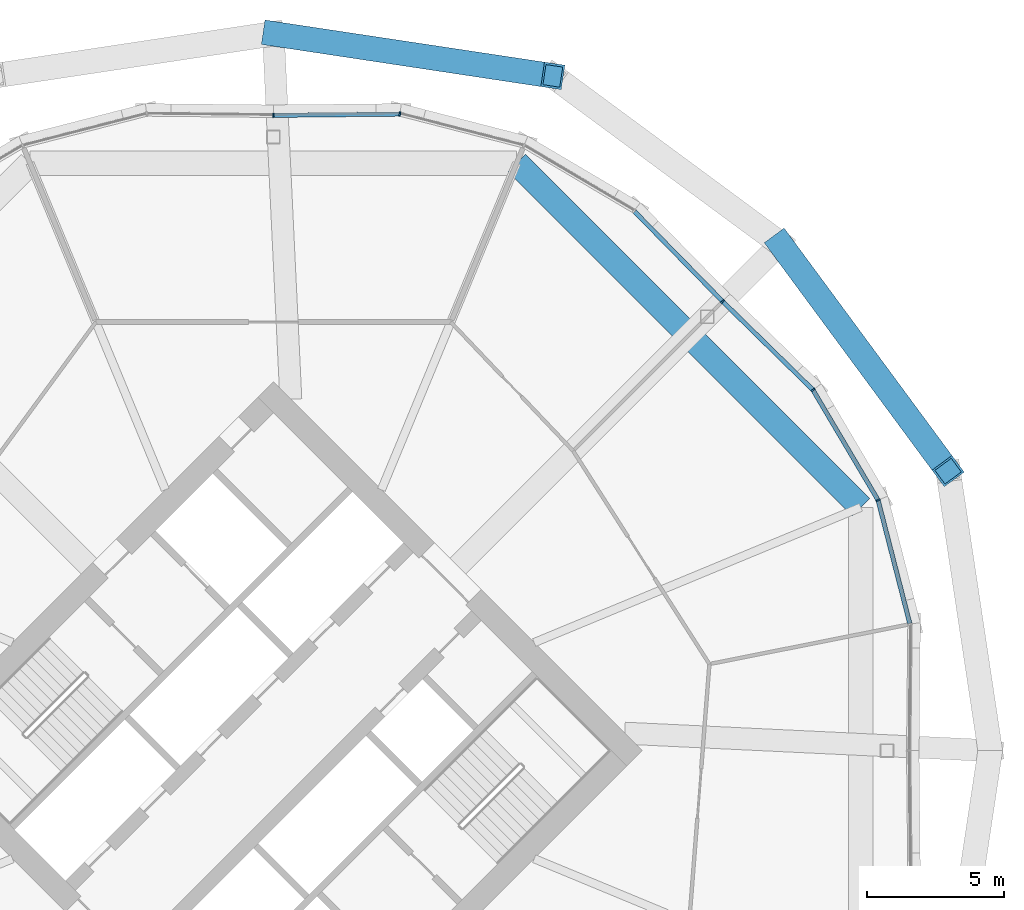
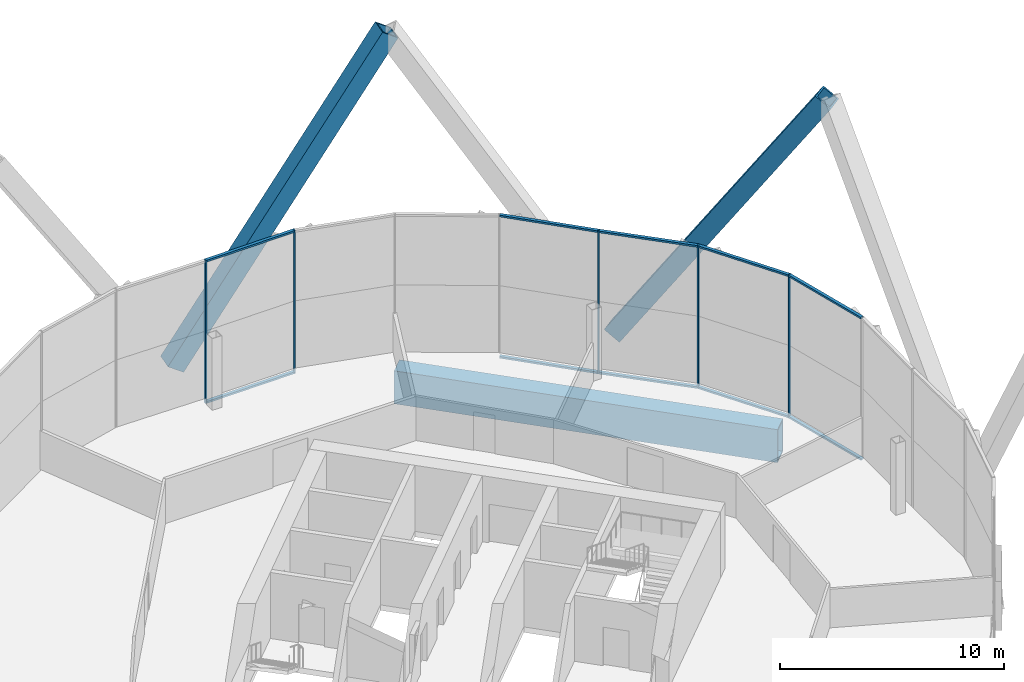
# One storey, part 18 of 28: 17 members, 1 beam, 2 elements without a shape of their own.
"""IFC4 building model written with IfcOpenShell, lengths in metres."""

from ifc_helpers import new_model, si_unit, direction, frame, origin, origin_2d, place, context, subcontext, project, spatial, rectangle, hollow_rectangle, extrude, material, material_profile, profile_set, type_object, element, aggregate, save


model = new_model("IFC4")

# Units and contexts
model_context = context("Model", 3, precision=1e-05, world=origin(), true_north=direction((0.0, 1.0)))
body_context = subcontext(model_context, "Body", "Model", "MODEL_VIEW")
ifc_project = project(units=[si_unit("LENGTHUNIT", "METRE"), si_unit("AREAUNIT", "SQUARE_METRE"), si_unit("VOLUMEUNIT", "CUBIC_METRE"), si_unit("PLANEANGLEUNIT", "RADIAN"), si_unit("MASSUNIT", "GRAM", prefix="KILO")], contexts=[model_context])

# Site, building, storey
site_placement = place(None, origin())
site = spatial("IfcSite", under=ifc_project, at=site_placement, CompositionType="ELEMENT")
building_placement = place(site_placement, origin())
building = spatial("IfcBuilding", under=site, at=building_placement, Name="Ogive Gate Towers", CompositionType="ELEMENT")
storey_placement = place(building_placement, frame((0.0, 0.0, 115.199951171875)))
storey = spatial("IfcBuildingStorey", under=building, at=storey_placement, Name="L27", CompositionType="ELEMENT", Elevation=115.199951171875)

# Members
ifc_material_1 = material(Name="Steel SM460", Category="steel")
ifc_material_profile_1 = material_profile(ifc_material_1, hollow_rectangle(XDim=0.89990234375, YDim=0.89990234375, WallThickness=0.080078125, at=origin_2d()), Name="BX 900x900x80")
ifc_profile_set_1 = profile_set([ifc_material_profile_1], Name="Steel SM460")
member_type_1 = type_object("IfcMemberType", Name="Diagrid diagonal BX 900x900x80", PredefinedType="BRACE", material=ifc_profile_set_1)
for number, where, z_axis, x_axis, name in (
    (1, (54.462646484375, 18.462646484375, 0.0), (0.327039025082, -0.443175302272, 0.83465030254), (0.804631811944, 0.593774070845, 0.0), "T2/L27/SDG003"),
    (2, (36.0, 26.110107421875, 0.0), (0.544627829519, -0.082121961007, 0.834647536889), (0.149100004323, 0.988822121876, 0.0), "T2/L27/SDG005"),
):
    element("IfcMember", number, at=place(storey_placement, frame(where, z_axis=z_axis, x_axis=x_axis)), inside=storey, type_object=member_type_1, Name=name, PredefinedType="BRACE", context=body_context, shape_type="SweptSolid", body=[
        extrude(hollow_rectangle(XDim=0.89990234375, YDim=0.89990234375, WallThickness=0.080078125, at=origin_2d()), origin(), (0.0, 0.0, 1.0), 18.690673828125),
    ])

# Beam
ifc_material_profile_2 = material_profile(ifc_material_1, hollow_rectangle(XDim=0.89990234375, YDim=1.800048828125, WallThickness=0.080078125, at=origin_2d()), Name="BX 1800x900x80")
ifc_profile_set_2 = profile_set([ifc_material_profile_2], Name="Steel SM460")
beam_type = type_object("IfcBeamType", Name="Edge girder BX 1800x900x80", PredefinedType="BEAM", material=ifc_profile_set_2)
beam_placement = place(storey_placement, frame((57.39697265625, 8.863037109375, -1.199951171875), z_axis=(-0.707106781187, 0.707106781187, 0.0), x_axis=(-0.707106781187, -0.707106781187, 0.0)))
element("IfcBeam", 3, at=beam_placement, inside=storey, type_object=beam_type, Name="T2/L27/SBM021", PredefinedType="BEAM", context=body_context, shape_type="SweptSolid", body=[
    extrude(hollow_rectangle(XDim=0.89990234375, YDim=1.800048828125, WallThickness=0.080078125, at=origin_2d()), origin(), (0.0, 0.0, 1.0), 17.7255859375),
])

# Curtain wall, members
ifc_material_2 = material(Name="Pale metal aluminium", Category="aluminium")
curtain_wall_type = type_object("IfcCurtainWallType", Name="Tower unitised wall, low zone", PredefinedType="NOTDEFINED", material=ifc_material_2)
curtain_wall_1_placement = place(storey_placement, origin())
curtain_wall_1 = element("IfcCurtainWall", 4, at=curtain_wall_1_placement, inside=storey, type_object=curtain_wall_type, Name="CW1 T2 ECW01", PredefinedType="NOTDEFINED")
ifc_material_profile_3 = material_profile(ifc_material_2, rectangle(XDim=0.159912109375, YDim=0.06005859375, at=origin_2d()), Name="60 x 160 aluminium box")
ifc_profile_set_3 = profile_set([ifc_material_profile_3], Name="Pale metal aluminium")
member_type_2 = type_object("IfcMemberType", Name="Tower unitised wall, low zone mullion 60 x 160", PredefinedType="MULLION", material=ifc_profile_set_3)
member_1_placement = place(storey_placement, frame((58.026123046875, 9.12353515625, -0.300048828125), z_axis=(0.0, 0.0, 1.0), x_axis=(0.923879532511, 0.382683432365, 0.0)))
member_1 = element("IfcMember", 5, at=member_1_placement, type_object=member_type_2, Name="CW1 mullion", PredefinedType="MULLION", context=body_context, shape_type="SweptSolid", body=[
    extrude(rectangle(XDim=0.159912109375, YDim=0.06005859375, at=origin_2d()), origin(), (0.0, 0.0, 1.0), 7.800048828125),
])
member_2_placement = place(storey_placement, frame((55.653076171875, 13.13916015625, -0.300048828125), z_axis=(0.0, 0.0, 1.0), x_axis=(0.787085768775, 0.616843572223, 0.0)))
member_2 = element("IfcMember", 6, at=member_2_placement, type_object=member_type_2, Name="CW1 mullion", PredefinedType="MULLION", context=body_context, shape_type="SweptSolid", body=[
    extrude(rectangle(XDim=0.159912109375, YDim=0.06005859375, at=origin_2d()), origin(), (0.0, 0.0, 1.0), 7.800048828125),
])
member_3_placement = place(storey_placement, frame((52.362548828125, 16.3623046875, -0.300048828125), z_axis=(0.0, 0.0, 1.0), x_axis=(0.699788028863, 0.714350554462, 0.0)))
member_3 = element("IfcMember", 7, at=member_3_placement, type_object=member_type_2, Name="CW1 mullion", PredefinedType="MULLION", context=body_context, shape_type="SweptSolid", body=[
    extrude(rectangle(XDim=0.159912109375, YDim=0.06005859375, at=origin_2d()), origin(), (0.0, 0.0, 1.0), 7.800048828125),
])

curtain_wall_2_placement = place(storey_placement, origin())
curtain_wall_2 = element("IfcCurtainWall", 8, at=curtain_wall_2_placement, inside=storey, type_object=curtain_wall_type, Name="CW1 T2 ECW02", PredefinedType="NOTDEFINED")
member_4_placement = place(storey_placement, frame((40.606201171875, 23.1875, -0.300048828125), z_axis=(0.0, 0.0, 1.0), x_axis=(0.120379411626, 0.992727957326, 0.0)))
member_4 = element("IfcMember", 9, at=member_4_placement, type_object=member_type_2, Name="CW1 mullion", PredefinedType="MULLION", context=body_context, shape_type="SweptSolid", body=[
    extrude(rectangle(XDim=0.159912109375, YDim=0.06005859375, at=origin_2d()), origin(), (0.0, 0.0, 1.0), 7.800048828125),
])
member_5_placement = place(storey_placement, frame((36.000244140625, 23.139892578125, -0.300048828125), z_axis=(0.0, 0.0, 1.0), x_axis=(-0.010279808233, 0.999947161375, 0.0)))
member_5 = element("IfcMember", 10, at=member_5_placement, type_object=member_type_2, Name="CW1 mullion", PredefinedType="MULLION", context=body_context, shape_type="SweptSolid", body=[
    extrude(rectangle(XDim=0.159912109375, YDim=0.06005859375, at=origin_2d()), origin(), (0.0, 0.0, 1.0), 7.800048828125),
])

# Member
ifc_material_profile_4 = material_profile(ifc_material_2, rectangle(XDim=0.159912109375, YDim=0.10009765625, at=origin_2d()), Name="100 x 160 aluminium box")
ifc_profile_set_4 = profile_set([ifc_material_profile_4], Name="Pale metal aluminium")
member_type_3 = type_object("IfcMemberType", Name="Tower unitised wall, low zone transom 100 x 160", PredefinedType="USERDEFINED", material=ifc_profile_set_4)
member_6_placement = place(storey_placement, frame((59.1806640625, 4.632568359375, 7.449951171875), z_axis=(-0.249022588577, 0.968497677012, 0.0), x_axis=(-0.968497677012, -0.249022588577, 0.0)))
member_6 = element("IfcMember", 11, at=member_6_placement, type_object=member_type_3, Name="CW1 transom", ObjectType="TRANSOM", PredefinedType="USERDEFINED", context=body_context, shape_type="SweptSolid", body=[
    extrude(rectangle(XDim=0.159912109375, YDim=0.10009765625, at=origin_2d()), origin(), (0.0, 0.0, 1.0), 4.60986328125),
])

member_7_placement = place(storey_placement, frame((59.1806640625, 4.632568359375, -0.25), z_axis=(-0.249022588577, 0.968497677012, 0.0), x_axis=(-0.968497677012, -0.249022588577, 0.0)))
member_7 = element("IfcMember", 12, at=member_7_placement, type_object=member_type_3, Name="CW1 transom", ObjectType="TRANSOM", PredefinedType="USERDEFINED", context=body_context, shape_type="SweptSolid", body=[
    extrude(rectangle(XDim=0.159912109375, YDim=0.10009765625, at=origin_2d()), origin(), (0.0, 0.0, 1.0), 4.60986328125),
])

member_8_placement = place(storey_placement, frame((58.01220703125, 9.14697265625, 7.449951171875), z_axis=(-0.508798898164, 0.860885405398, 0.0), x_axis=(-0.860885405398, -0.508798898164, 0.0)))
member_8 = element("IfcMember", 13, at=member_8_placement, type_object=member_type_3, Name="CW1 transom", ObjectType="TRANSOM", PredefinedType="USERDEFINED", context=body_context, shape_type="SweptSolid", body=[
    extrude(rectangle(XDim=0.159912109375, YDim=0.10009765625, at=origin_2d()), origin(), (0.0, 0.0, 1.0), 4.60986328125),
])

member_9_placement = place(storey_placement, frame((58.01220703125, 9.14697265625, -0.25), z_axis=(-0.508798898164, 0.860885405398, 0.0), x_axis=(-0.860885405398, -0.508798898164, 0.0)))
member_9 = element("IfcMember", 14, at=member_9_placement, type_object=member_type_3, Name="CW1 transom", ObjectType="TRANSOM", PredefinedType="USERDEFINED", context=body_context, shape_type="SweptSolid", body=[
    extrude(rectangle(XDim=0.159912109375, YDim=0.10009765625, at=origin_2d()), origin(), (0.0, 0.0, 1.0), 4.60986328125),
])

member_10_placement = place(storey_placement, frame((55.63330078125, 13.158203125, 7.449951171875), z_axis=(-0.714342153972, 0.699796604064, 0.0), x_axis=(-0.699796604064, -0.714342153972, 0.0)))
member_10 = element("IfcMember", 15, at=member_10_placement, type_object=member_type_3, Name="CW1 transom", ObjectType="TRANSOM", PredefinedType="USERDEFINED", context=body_context, shape_type="SweptSolid", body=[
    extrude(rectangle(XDim=0.159912109375, YDim=0.10009765625, at=origin_2d()), origin(), (0.0, 0.0, 1.0), 4.548583984375),
])

member_11_placement = place(storey_placement, frame((55.63330078125, 13.158203125, -0.25), z_axis=(-0.714342153972, 0.699796604064, 0.0), x_axis=(-0.699796604064, -0.714342153972, 0.0)))
member_11 = element("IfcMember", 16, at=member_11_placement, type_object=member_type_3, Name="CW1 transom", ObjectType="TRANSOM", PredefinedType="USERDEFINED", context=body_context, shape_type="SweptSolid", body=[
    extrude(rectangle(XDim=0.159912109375, YDim=0.10009765625, at=origin_2d()), origin(), (0.0, 0.0, 1.0), 4.548583984375),
])

aggregate(curtain_wall_1, [member_1, member_6, member_7, member_2, member_8, member_9, member_3, member_10, member_11])

member_12_placement = place(storey_placement, frame((52.34130859375, 16.384033203125, 7.449951171875), z_axis=(-0.699796604064, 0.714342153972, 0.0), x_axis=(-0.714342153972, -0.699796604064, 0.0)))
member_12 = element("IfcMember", 17, at=member_12_placement, type_object=member_type_3, Name="CW1 transom", ObjectType="TRANSOM", PredefinedType="USERDEFINED", context=body_context, shape_type="SweptSolid", body=[
    extrude(rectangle(XDim=0.159912109375, YDim=0.10009765625, at=origin_2d()), origin(), (0.0, 0.0, 1.0), 4.548583984375),
])

member_13_placement = place(storey_placement, frame((52.34130859375, 16.384033203125, -0.25), z_axis=(-0.699796604064, 0.714342153972, 0.0), x_axis=(-0.714342153972, -0.699796604064, 0.0)))
member_13 = element("IfcMember", 18, at=member_13_placement, type_object=member_type_3, Name="CW1 transom", ObjectType="TRANSOM", PredefinedType="USERDEFINED", context=body_context, shape_type="SweptSolid", body=[
    extrude(rectangle(XDim=0.159912109375, YDim=0.10009765625, at=origin_2d()), origin(), (0.0, 0.0, 1.0), 4.548583984375),
])

member_14_placement = place(storey_placement, frame((40.57861328125, 23.18701171875, 7.449951171875), z_axis=(-0.999947449507, -0.010251742504, 0.0), x_axis=(0.010251742504, -0.999947449507, 0.0)))
member_14 = element("IfcMember", 19, at=member_14_placement, type_object=member_type_3, Name="CW1 transom", ObjectType="TRANSOM", PredefinedType="USERDEFINED", context=body_context, shape_type="SweptSolid", body=[
    extrude(rectangle(XDim=0.159912109375, YDim=0.10009765625, at=origin_2d()), origin(), (0.0, 0.0, 1.0), 4.548583984375),
])

member_15_placement = place(storey_placement, frame((40.57861328125, 23.18701171875, -0.25), z_axis=(-0.999947449507, -0.010251742504, 0.0), x_axis=(0.010251742504, -0.999947449507, 0.0)))
member_15 = element("IfcMember", 20, at=member_15_placement, type_object=member_type_3, Name="CW1 transom", ObjectType="TRANSOM", PredefinedType="USERDEFINED", context=body_context, shape_type="SweptSolid", body=[
    extrude(rectangle(XDim=0.159912109375, YDim=0.10009765625, at=origin_2d()), origin(), (0.0, 0.0, 1.0), 4.548583984375),
])

aggregate(curtain_wall_2, [member_12, member_13, member_4, member_5, member_14, member_15])

save(model, "model.ifc")
